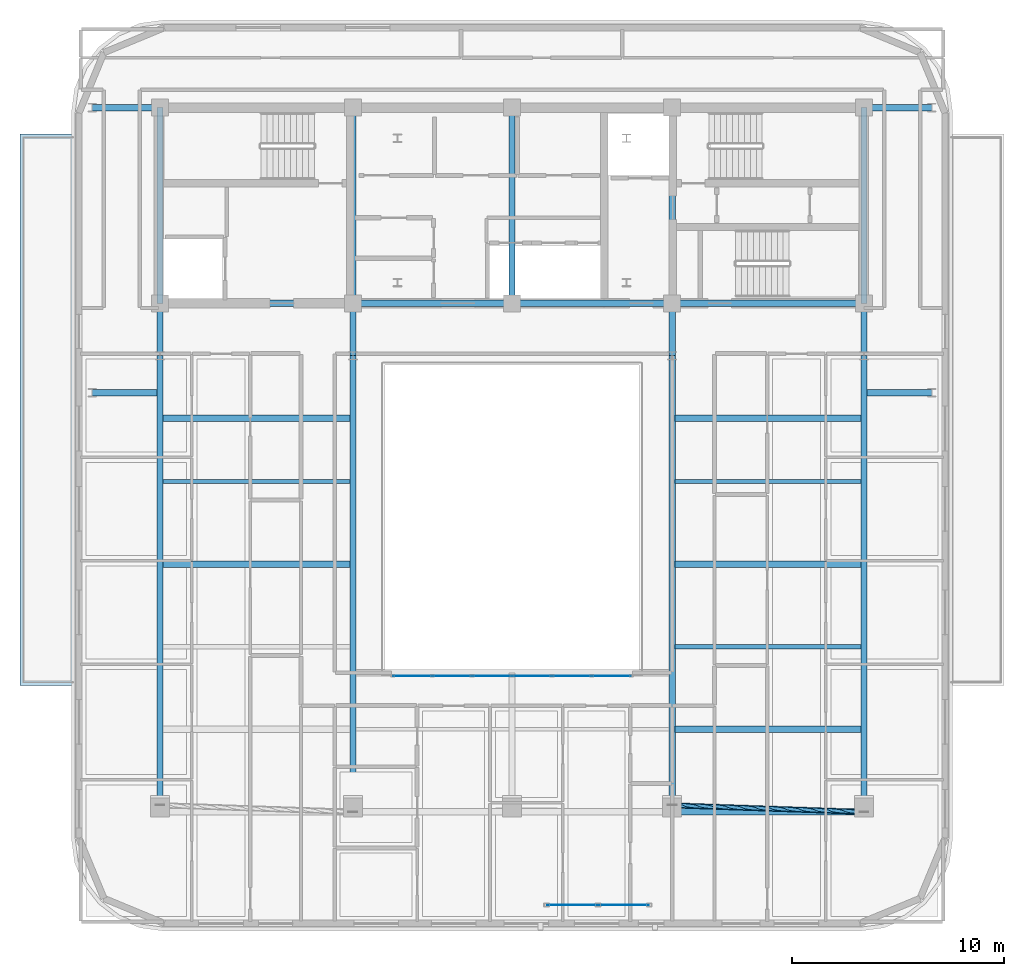
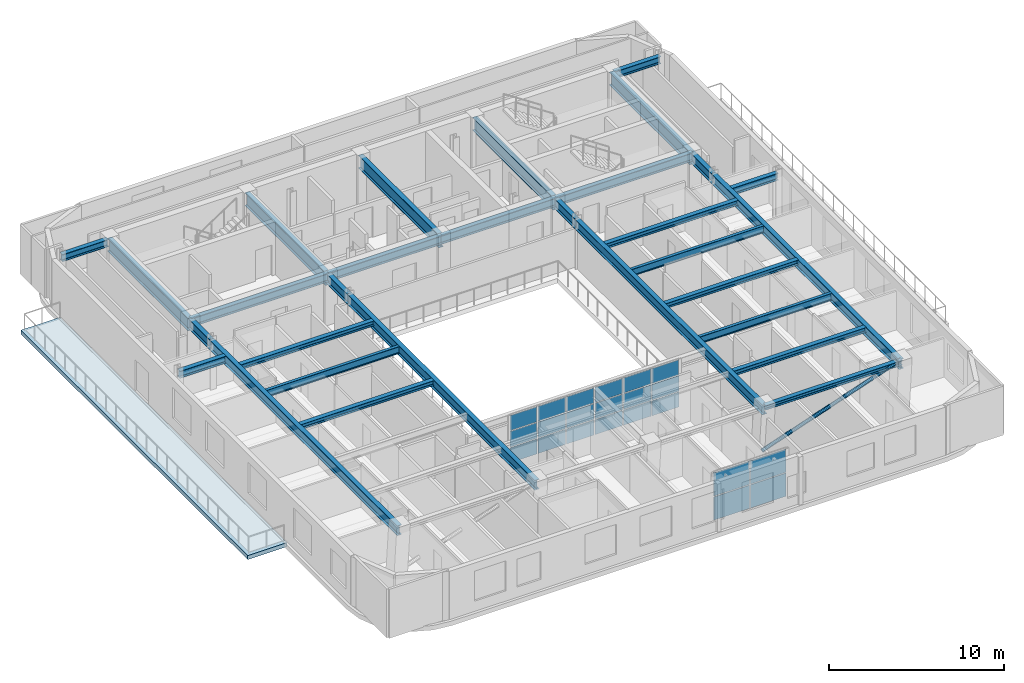
# One storey, part 3 of 14: 30 beams, 22 plates, 1 member, 1 slab, 2 elements without a shape of their own.
"""IFC4 building model written with IfcOpenShell, lengths in metres."""

from ifc_helpers import new_model, si_unit, direction, frame, origin, origin_2d, place, context, subcontext, project, spatial, polyline, rectangle, hollow_circle, i_section, outline, extrude, material, layer, layer_set, material_profile, profile_set, type_object, element, aggregate, save


model = new_model("IFC4")

# Units and contexts
model_context = context("Model", 3, precision=1e-05, world=origin(), true_north=direction((0.0, 1.0)))
body_context = subcontext(model_context, "Body", "Model", "MODEL_VIEW")
ifc_project = project(units=[si_unit("LENGTHUNIT", "METRE"), si_unit("AREAUNIT", "SQUARE_METRE"), si_unit("VOLUMEUNIT", "CUBIC_METRE"), si_unit("PLANEANGLEUNIT", "RADIAN"), si_unit("MASSUNIT", "GRAM", prefix="KILO")], contexts=[model_context])

# Site, building, storey
site_placement = place(None, origin())
site = spatial("IfcSite", under=ifc_project, at=site_placement, CompositionType="ELEMENT")
building_placement = place(site_placement, origin())
building = spatial("IfcBuilding", under=site, at=building_placement, Name="Zarnavel Station Tower", CompositionType="ELEMENT")
storey_placement = place(building_placement, frame((0.0, 0.0, 243.60009765625)))
storey = spatial("IfcBuildingStorey", under=building, at=storey_placement, Name="L66", CompositionType="ELEMENT", Elevation=243.60009765625)

# Member
ifc_material_1 = material(Name="Steel S355J2", Category="steel")
ifc_material_profile_1 = material_profile(ifc_material_1, hollow_circle(Radius=0.122314453125, WallThickness=0.010009765625, at=origin_2d()), Name="CHS244.5x10")
ifc_profile_set_1 = profile_set([ifc_material_profile_1], Name="Steel S355J2")
member_type = type_object("IfcMemberType", Name="DB_EXT_CHS245", PredefinedType="BRACE", material=ifc_profile_set_1)
member_placement = place(storey_placement, frame((36.35009765625, 4.15283203125, 0.0), z_axis=(0.934954974808, -0.032007603945, 0.353319555603), x_axis=(0.034214336452, 0.999414518196, 0.0)))
element("IfcMember", 1, at=member_placement, inside=storey, type_object=member_type, Name="L66 Persian Exterior Diagonal Frame Brace 2", PredefinedType="BRACE", context=body_context, shape_type="SweptSolid", body=[
    extrude(hollow_circle(Radius=0.122314453125, WallThickness=0.010009765625, at=origin_2d()), origin(), (0.0, 0.0, 1.0), 9.679443359375),
])

# Beams
ifc_material_2 = material(Name="Steel S355J2", Category="steel")
ifc_material_profile_2 = material_profile(ifc_material_2, i_section(OverallWidth=0.300048828125, OverallDepth=0.320068359375, WebThickness=0.011474609375, FlangeThickness=0.0205078125, FilletRadius=0.027099609375, at=origin_2d()), Name="HEB320")
ifc_profile_set_2 = profile_set([ifc_material_profile_2], Name="Steel S355J2")
beam_type_1 = type_object("IfcBeamType", Name="EB_HEB320", PredefinedType="SPANDREL", material=ifc_profile_set_2)
beam_1_placement = place(storey_placement, frame((36.35009765625, 3.843017578125, 3.260009765625), z_axis=(1.0, 0.0, 0.0), x_axis=(0.0, 1.0, 0.0)))
element("IfcBeam", 2, at=beam_1_placement, inside=storey, type_object=beam_type_1, Name="L66 South Raked Spandrel 4", PredefinedType="SPANDREL", context=body_context, shape_type="SweptSolid", body=[
    extrude(i_section(OverallWidth=0.300048828125, OverallDepth=0.320068359375, WebThickness=0.011474609375, FlangeThickness=0.0205078125, FilletRadius=0.027099609375, at=origin_2d()), origin(), (0.0, 0.0, 1.0), 9.0498046875),
])
ifc_material_3 = material(Name="Steel S355J2", Category="steel")
ifc_material_profile_3 = material_profile(ifc_material_3, i_section(OverallWidth=0.300048828125, OverallDepth=0.35009765625, WebThickness=0.010009765625, FlangeThickness=0.017578125, FilletRadius=0.027099609375, at=origin_2d()), Name="HEA360")
ifc_profile_set_3 = profile_set([ifc_material_profile_3], Name="Steel S355J2")
beam_type_2 = type_object("IfcBeamType", Name="FB_HEA360", PredefinedType="BEAM", material=ifc_profile_set_3)
beam_2_placement = place(storey_placement, frame((36.4951171875, 7.73583984375, 3.244873046875), z_axis=(1.0, 0.0, 0.0), x_axis=(0.0, 1.0, 0.0)))
element("IfcBeam", 3, at=beam_2_placement, inside=storey, type_object=beam_type_2, Name="L66 East Bay Beam 1", PredefinedType="BEAM", context=body_context, shape_type="SweptSolid", body=[
    extrude(i_section(OverallWidth=0.300048828125, OverallDepth=0.35009765625, WebThickness=0.010009765625, FlangeThickness=0.017578125, FilletRadius=0.027099609375, at=origin_2d()), origin(), (0.0, 0.0, 1.0), 8.759765625),
])
beam_3_placement = place(storey_placement, frame((12.344970703125, 15.521484375, 3.244873046875), z_axis=(1.0, 0.0, 0.0), x_axis=(0.0, 1.0, 0.0)))
element("IfcBeam", 4, at=beam_3_placement, inside=storey, type_object=beam_type_2, Name="L66 West Bay Beam 3", PredefinedType="BEAM", context=body_context, shape_type="SweptSolid", body=[
    extrude(i_section(OverallWidth=0.300048828125, OverallDepth=0.35009765625, WebThickness=0.010009765625, FlangeThickness=0.017578125, FilletRadius=0.027099609375, at=origin_2d()), origin(), (0.0, 0.0, 1.0), 8.81005859375),
])
beam_4_placement = place(storey_placement, frame((36.4951171875, 15.521484375, 3.244873046875), z_axis=(1.0, 0.0, 0.0), x_axis=(0.0, 1.0, 0.0)))
element("IfcBeam", 5, at=beam_4_placement, inside=storey, type_object=beam_type_2, Name="L66 East Bay Beam 3", PredefinedType="BEAM", context=body_context, shape_type="SweptSolid", body=[
    extrude(i_section(OverallWidth=0.300048828125, OverallDepth=0.35009765625, WebThickness=0.010009765625, FlangeThickness=0.017578125, FilletRadius=0.027099609375, at=origin_2d()), origin(), (0.0, 0.0, 1.0), 8.759765625),
])
beam_5_placement = place(storey_placement, frame((12.344970703125, 22.4072265625, 3.244873046875), z_axis=(1.0, 0.0, 0.0), x_axis=(0.0, 1.0, 0.0)))
element("IfcBeam", 6, at=beam_5_placement, inside=storey, type_object=beam_type_2, Name="L66 West Bay Beam 5", PredefinedType="BEAM", context=body_context, shape_type="SweptSolid", body=[
    extrude(i_section(OverallWidth=0.300048828125, OverallDepth=0.35009765625, WebThickness=0.010009765625, FlangeThickness=0.017578125, FilletRadius=0.027099609375, at=origin_2d()), origin(), (0.0, 0.0, 1.0), 8.81005859375),
])
beam_6_placement = place(storey_placement, frame((36.4951171875, 22.4072265625, 3.244873046875), z_axis=(1.0, 0.0, 0.0), x_axis=(0.0, 1.0, 0.0)))
element("IfcBeam", 7, at=beam_6_placement, inside=storey, type_object=beam_type_2, Name="L66 East Bay Beam 5", PredefinedType="BEAM", context=body_context, shape_type="SweptSolid", body=[
    extrude(i_section(OverallWidth=0.300048828125, OverallDepth=0.35009765625, WebThickness=0.010009765625, FlangeThickness=0.017578125, FilletRadius=0.027099609375, at=origin_2d()), origin(), (0.0, 0.0, 1.0), 8.759765625),
])
ifc_material_4 = material(Name="Steel S355J2", Category="steel")
ifc_material_profile_4 = material_profile(ifc_material_4, i_section(OverallWidth=0.199951171875, OverallDepth=0.5, WebThickness=0.01025390625, FlangeThickness=0.01611328125, FilletRadius=0.02099609375, at=origin_2d()), Name="IPE500")
ifc_profile_set_4 = profile_set([ifc_material_profile_4], Name="Steel S355J2")
beam_type_3 = type_object("IfcBeamType", Name="FB_IPE500", PredefinedType="BEAM", material=ifc_profile_set_4)
beam_7_placement = place(storey_placement, frame((36.4951171875, 11.628662109375, 3.169921875), z_axis=(1.0, 0.0, 0.0), x_axis=(0.0, 1.0, 0.0)))
element("IfcBeam", 8, at=beam_7_placement, inside=storey, type_object=beam_type_3, Name="L66 East Bay Beam 2", PredefinedType="BEAM", context=body_context, shape_type="SweptSolid", body=[
    extrude(i_section(OverallWidth=0.199951171875, OverallDepth=0.5, WebThickness=0.01025390625, FlangeThickness=0.01611328125, FilletRadius=0.02099609375, at=origin_2d()), origin(), (0.0, 0.0, 1.0), 8.759765625),
])
beam_8_placement = place(storey_placement, frame((12.344970703125, 19.414306640625, 3.169921875), z_axis=(1.0, 0.0, 0.0), x_axis=(0.0, 1.0, 0.0)))
element("IfcBeam", 9, at=beam_8_placement, inside=storey, type_object=beam_type_3, Name="L66 West Bay Beam 4", PredefinedType="BEAM", context=body_context, shape_type="SweptSolid", body=[
    extrude(i_section(OverallWidth=0.199951171875, OverallDepth=0.5, WebThickness=0.01025390625, FlangeThickness=0.01611328125, FilletRadius=0.02099609375, at=origin_2d()), origin(), (0.0, 0.0, 1.0), 8.81005859375),
])
beam_9_placement = place(storey_placement, frame((36.4951171875, 19.414306640625, 3.169921875), z_axis=(1.0, 0.0, 0.0), x_axis=(0.0, 1.0, 0.0)))
element("IfcBeam", 10, at=beam_9_placement, inside=storey, type_object=beam_type_3, Name="L66 East Bay Beam 4", PredefinedType="BEAM", context=body_context, shape_type="SweptSolid", body=[
    extrude(i_section(OverallWidth=0.199951171875, OverallDepth=0.5, WebThickness=0.01025390625, FlangeThickness=0.01611328125, FilletRadius=0.02099609375, at=origin_2d()), origin(), (0.0, 0.0, 1.0), 8.759765625),
])
ifc_material_5 = material(Name="Steel S355J2", Category="steel")
ifc_material_profile_5 = material_profile(ifc_material_5, i_section(OverallWidth=0.300048828125, OverallDepth=0.5, WebThickness=0.014404296875, FlangeThickness=0.028076171875, FilletRadius=0.027099609375, at=origin_2d()), Name="HEB500")
ifc_profile_set_5 = profile_set([ifc_material_profile_5], Name="Steel S355J2")
beam_type_4 = type_object("IfcBeamType", Name="FG_HEB500", PredefinedType="USERDEFINED", material=ifc_profile_set_5)
for number, where, z_axis, x_axis, name in (
    (11, (9.0, 23.60009765625, 3.169921875), (1.0, 0.0, 0.0), (0.0, 1.0, 0.0), "L66 West Wing South Tie 1"),
    (12, (9.0, 37.050048828125, 3.169921875), (1.0, 0.0, 0.0), (0.0, 1.0, 0.0), "L66 West Wing North Tie 1"),
):
    element("IfcBeam", number, at=place(storey_placement, frame(where, z_axis=z_axis, x_axis=x_axis)), inside=storey, type_object=beam_type_4, Name=name, ObjectType="GIRDER", PredefinedType="USERDEFINED", context=body_context, shape_type="SweptSolid", body=[
        extrude(i_section(OverallWidth=0.300048828125, OverallDepth=0.5, WebThickness=0.014404296875, FlangeThickness=0.028076171875, FilletRadius=0.027099609375, at=origin_2d()), origin(), (0.0, 0.0, 1.0), 3.054931640625),
    ])
for number, where, z_axis, x_axis, name in (
    (13, (45.544921875, 23.60009765625, 3.169921875), (1.0, 0.0, 0.0), (0.0, 1.0, 0.0), "L66 East Wing South Tie 1"),
    (14, (45.544921875, 37.050048828125, 3.169921875), (1.0, 0.0, 0.0), (0.0, 1.0, 0.0), "L66 East Wing North Tie 1"),
):
    element("IfcBeam", number, at=place(storey_placement, frame(where, z_axis=z_axis, x_axis=x_axis)), inside=storey, type_object=beam_type_4, Name=name, ObjectType="GIRDER", PredefinedType="USERDEFINED", context=body_context, shape_type="SweptSolid", body=[
        extrude(i_section(OverallWidth=0.300048828125, OverallDepth=0.5, WebThickness=0.014404296875, FlangeThickness=0.028076171875, FilletRadius=0.027099609375, at=origin_2d()), origin(), (0.0, 0.0, 1.0), 3.05517578125),
    ])
ifc_material_6 = material(Name="Steel S355J2", Category="steel")
ifc_material_profile_6 = material_profile(ifc_material_6, i_section(OverallWidth=0.300048828125, OverallDepth=0.60009765625, WebThickness=0.015380859375, FlangeThickness=0.030029296875, FilletRadius=0.027099609375, at=origin_2d()), Name="HEB600")
ifc_profile_set_6 = profile_set([ifc_material_profile_6], Name="Steel S355J2")
beam_type_5 = type_object("IfcBeamType", Name="FG_HEB600", PredefinedType="USERDEFINED", material=ifc_profile_set_6)
beam_10_placement = place(storey_placement, frame((12.199951171875, 27.820068359375, 3.119873046875), z_axis=(1.0, 0.0, 0.0), x_axis=(0.0, 1.0, 0.0)))
element("IfcBeam", 15, at=beam_10_placement, inside=storey, type_object=beam_type_5, Name="L66 Core Front Coupling Beam 1", ObjectType="GIRDER", PredefinedType="USERDEFINED", context=body_context, shape_type="SweptSolid", body=[
    extrude(i_section(OverallWidth=0.300048828125, OverallDepth=0.60009765625, WebThickness=0.015380859375, FlangeThickness=0.030029296875, FilletRadius=0.027099609375, at=origin_2d()), origin(), (0.0, 0.0, 1.0), 9.10009765625),
])
beam_11_placement = place(storey_placement, frame((21.300048828125, 27.820068359375, 3.119873046875), z_axis=(1.0, 0.0, 0.0), x_axis=(0.0, 1.0, 0.0)))
element("IfcBeam", 16, at=beam_11_placement, inside=storey, type_object=beam_type_5, Name="L66 Core Front Coupling Beam 2", ObjectType="GIRDER", PredefinedType="USERDEFINED", context=body_context, shape_type="SweptSolid", body=[
    extrude(i_section(OverallWidth=0.300048828125, OverallDepth=0.60009765625, WebThickness=0.015380859375, FlangeThickness=0.030029296875, FilletRadius=0.027099609375, at=origin_2d()), origin(), (0.0, 0.0, 1.0), 7.5),
])
beam_12_placement = place(storey_placement, frame((28.800048828125, 27.820068359375, 3.119873046875), z_axis=(1.0, 0.0, 0.0), x_axis=(0.0, 1.0, 0.0)))
element("IfcBeam", 17, at=beam_12_placement, inside=storey, type_object=beam_type_5, Name="L66 Core Front Coupling Beam 3", ObjectType="GIRDER", PredefinedType="USERDEFINED", context=body_context, shape_type="SweptSolid", body=[
    extrude(i_section(OverallWidth=0.300048828125, OverallDepth=0.60009765625, WebThickness=0.015380859375, FlangeThickness=0.030029296875, FilletRadius=0.027099609375, at=origin_2d()), origin(), (0.0, 0.0, 1.0), 7.550048828125),
])
beam_13_placement = place(storey_placement, frame((36.35009765625, 27.820068359375, 3.119873046875), z_axis=(1.0, 0.0, 0.0), x_axis=(0.0, 1.0, 0.0)))
element("IfcBeam", 18, at=beam_13_placement, inside=storey, type_object=beam_type_5, Name="L66 Core Front Coupling Beam 4", ObjectType="GIRDER", PredefinedType="USERDEFINED", context=body_context, shape_type="SweptSolid", body=[
    extrude(i_section(OverallWidth=0.300048828125, OverallDepth=0.60009765625, WebThickness=0.015380859375, FlangeThickness=0.030029296875, FilletRadius=0.027099609375, at=origin_2d()), origin(), (0.0, 0.0, 1.0), 9.0498046875),
])
ifc_material_7 = material(Name="Steel S355J2", Category="steel")
ifc_material_profile_7 = material_profile(ifc_material_7, i_section(OverallWidth=0.300048828125, OverallDepth=0.699951171875, WebThickness=0.01708984375, FlangeThickness=0.031982421875, FilletRadius=0.027099609375, at=origin_2d()), Name="HEB700")
ifc_profile_set_7 = profile_set([ifc_material_profile_7], Name="Steel S355J2")
beam_type_6 = type_object("IfcBeamType", Name="FG_HEB700", PredefinedType="USERDEFINED", material=ifc_profile_set_7)
beam_14_placement = place(storey_placement, frame((12.199951171875, 3.843017578125, 3.06982421875), z_axis=(0.0, 1.0, 0.0), x_axis=(-1.0, 0.0, 0.0)))
element("IfcBeam", 19, at=beam_14_placement, inside=storey, type_object=beam_type_6, Name="L66 South-Zone NS Girder 1", ObjectType="GIRDER", PredefinedType="USERDEFINED", context=body_context, shape_type="SweptSolid", body=[
    extrude(i_section(OverallWidth=0.300048828125, OverallDepth=0.699951171875, WebThickness=0.01708984375, FlangeThickness=0.031982421875, FilletRadius=0.027099609375, at=origin_2d()), origin(), (0.0, 0.0, 1.0), 21.507080078125),
])
beam_15_placement = place(storey_placement, frame((12.199951171875, 25.35009765625, 3.06982421875), z_axis=(0.0, 1.0, 0.0), x_axis=(-1.0, 0.0, 0.0)))
element("IfcBeam", 20, at=beam_15_placement, inside=storey, type_object=beam_type_6, Name="L66 Inner-Zone NS Girder 1", ObjectType="GIRDER", PredefinedType="USERDEFINED", context=body_context, shape_type="SweptSolid", body=[
    extrude(i_section(OverallWidth=0.300048828125, OverallDepth=0.699951171875, WebThickness=0.01708984375, FlangeThickness=0.031982421875, FilletRadius=0.027099609375, at=origin_2d()), origin(), (0.0, 0.0, 1.0), 2.469970703125),
])
beam_16_placement = place(storey_placement, frame((21.300048828125, 3.843017578125, 3.06982421875), z_axis=(0.0, 1.0, 0.0), x_axis=(-1.0, 0.0, 0.0)))
element("IfcBeam", 21, at=beam_16_placement, inside=storey, type_object=beam_type_6, Name="L66 South-Zone NS Girder 2", ObjectType="GIRDER", PredefinedType="USERDEFINED", context=body_context, shape_type="SweptSolid", body=[
    extrude(i_section(OverallWidth=0.300048828125, OverallDepth=0.699951171875, WebThickness=0.01708984375, FlangeThickness=0.031982421875, FilletRadius=0.027099609375, at=origin_2d()), origin(), (0.0, 0.0, 1.0), 21.507080078125),
])
beam_17_placement = place(storey_placement, frame((21.300048828125, 25.35009765625, 3.06982421875), z_axis=(0.0, 1.0, 0.0), x_axis=(-1.0, 0.0, 0.0)))
element("IfcBeam", 22, at=beam_17_placement, inside=storey, type_object=beam_type_6, Name="L66 Inner-Zone NS Girder 2", ObjectType="GIRDER", PredefinedType="USERDEFINED", context=body_context, shape_type="SweptSolid", body=[
    extrude(i_section(OverallWidth=0.300048828125, OverallDepth=0.699951171875, WebThickness=0.01708984375, FlangeThickness=0.031982421875, FilletRadius=0.027099609375, at=origin_2d()), origin(), (0.0, 0.0, 1.0), 2.469970703125),
])
beam_18_placement = place(storey_placement, frame((36.35009765625, 3.843017578125, 3.06982421875), z_axis=(0.0, 1.0, 0.0), x_axis=(-1.0, 0.0, 0.0)))
element("IfcBeam", 23, at=beam_18_placement, inside=storey, type_object=beam_type_6, Name="L66 South-Zone NS Girder 4", ObjectType="GIRDER", PredefinedType="USERDEFINED", context=body_context, shape_type="SweptSolid", body=[
    extrude(i_section(OverallWidth=0.300048828125, OverallDepth=0.699951171875, WebThickness=0.01708984375, FlangeThickness=0.031982421875, FilletRadius=0.027099609375, at=origin_2d()), origin(), (0.0, 0.0, 1.0), 21.507080078125),
])
beam_19_placement = place(storey_placement, frame((36.35009765625, 25.35009765625, 3.06982421875), z_axis=(0.0, 1.0, 0.0), x_axis=(-1.0, 0.0, 0.0)))
element("IfcBeam", 24, at=beam_19_placement, inside=storey, type_object=beam_type_6, Name="L66 Inner-Zone NS Girder 4", ObjectType="GIRDER", PredefinedType="USERDEFINED", context=body_context, shape_type="SweptSolid", body=[
    extrude(i_section(OverallWidth=0.300048828125, OverallDepth=0.699951171875, WebThickness=0.01708984375, FlangeThickness=0.031982421875, FilletRadius=0.027099609375, at=origin_2d()), origin(), (0.0, 0.0, 1.0), 2.469970703125),
])
beam_20_placement = place(storey_placement, frame((45.39990234375, 3.843017578125, 3.06982421875), z_axis=(0.0, 1.0, 0.0), x_axis=(-1.0, 0.0, 0.0)))
element("IfcBeam", 25, at=beam_20_placement, inside=storey, type_object=beam_type_6, Name="L66 South-Zone NS Girder 5", ObjectType="GIRDER", PredefinedType="USERDEFINED", context=body_context, shape_type="SweptSolid", body=[
    extrude(i_section(OverallWidth=0.300048828125, OverallDepth=0.699951171875, WebThickness=0.01708984375, FlangeThickness=0.031982421875, FilletRadius=0.027099609375, at=origin_2d()), origin(), (0.0, 0.0, 1.0), 21.507080078125),
])
beam_21_placement = place(storey_placement, frame((45.39990234375, 25.35009765625, 3.06982421875), z_axis=(0.0, 1.0, 0.0), x_axis=(-1.0, 0.0, 0.0)))
element("IfcBeam", 26, at=beam_21_placement, inside=storey, type_object=beam_type_6, Name="L66 Inner-Zone NS Girder 5", ObjectType="GIRDER", PredefinedType="USERDEFINED", context=body_context, shape_type="SweptSolid", body=[
    extrude(i_section(OverallWidth=0.300048828125, OverallDepth=0.699951171875, WebThickness=0.01708984375, FlangeThickness=0.031982421875, FilletRadius=0.027099609375, at=origin_2d()), origin(), (0.0, 0.0, 1.0), 2.469970703125),
])
ifc_material_8 = material(Name="Steel S460M", Category="steel")
ifc_material_profile_8 = material_profile(ifc_material_8, i_section(OverallWidth=0.302001953125, OverallDepth=0.909912109375, WebThickness=0.02099609375, FlangeThickness=0.0400390625, FilletRadius=0.030029296875, at=origin_2d()), Name="HEM900")
ifc_profile_set_8 = profile_set([ifc_material_profile_8], Name="Steel S460M")
beam_type_7 = type_object("IfcBeamType", Name="TG_HEM900", PredefinedType="USERDEFINED", material=ifc_profile_set_8)
for number, where, z_axis, x_axis, name in (
    (27, (12.199951171875, 27.820068359375, 2.96484375), (0.0, 1.0, 0.0), (-1.0, 0.0, 0.0), "L66 Core Spine Coupling Girder 1"),
    (28, (21.300048828125, 27.820068359375, 2.96484375), (0.0, 1.0, 0.0), (-1.0, 0.0, 0.0), "L66 Core Spine Coupling Girder 2"),
    (29, (28.800048828125, 27.820068359375, 2.96484375), (0.0, 1.0, 0.0), (-1.0, 0.0, 0.0), "L66 Core Spine Coupling Girder 3"),
    (30, (36.35009765625, 27.820068359375, 2.96484375), (0.0, 1.0, 0.0), (-1.0, 0.0, 0.0), "L66 Core Spine Coupling Girder 4"),
    (31, (45.39990234375, 27.820068359375, 2.96484375), (0.0, 1.0, 0.0), (-1.0, 0.0, 0.0), "L66 Core Spine Coupling Girder 5"),
):
    element("IfcBeam", number, at=place(storey_placement, frame(where, z_axis=z_axis, x_axis=x_axis)), inside=storey, type_object=beam_type_7, Name=name, ObjectType="GIRDER", PredefinedType="USERDEFINED", context=body_context, shape_type="SweptSolid", body=[
        extrude(i_section(OverallWidth=0.302001953125, OverallDepth=0.909912109375, WebThickness=0.02099609375, FlangeThickness=0.0400390625, FilletRadius=0.030029296875, at=origin_2d()), origin(), (0.0, 0.0, 1.0), 9.22998046875),
    ])

# Curtain wall, plates
ifc_material_9 = material(Name="Aluminium Dark Anodised and Solar-Control Glass", Category="aluminium")
ifc_layer_1 = layer(ifc_material_9, 0.179931640625)
ifc_layer_set_1 = layer_set([ifc_layer_1], Name="CWS5")
curtain_wall_type_1 = type_object("IfcCurtainWallType", Name="CWS5", PredefinedType="NOTDEFINED", material=ifc_layer_set_1)
curtain_wall_1_placement = place(storey_placement, origin())
curtain_wall_1 = element("IfcCurtainWall", 32, at=curtain_wall_1_placement, inside=storey, type_object=curtain_wall_type_1, Name="L66 Curtain Wall CWS5-L66-AS", PredefinedType="NOTDEFINED")
ifc_material_10 = material(Name="Double Low-E Dark Solar-Control Glass", Category="glass")
ifc_layer_2 = layer(ifc_material_10, 0.033935546875)
ifc_layer_set_2 = layer_set([ifc_layer_2], Name="CWS5_PNL")
plate_type_1 = type_object("IfcPlateType", Name="CWS5_PNL", PredefinedType="CURTAIN_PANEL", material=ifc_layer_set_2)
plate_1_placement = place(storey_placement, frame((24.106689453125, 10.25, 0.06005859375), z_axis=(0.0, 0.0, 1.0), x_axis=(1.0, 0.0, 0.0)))
plate_1 = element("IfcPlate", 33, at=plate_1_placement, type_object=plate_type_1, Name="CW5 panel 1.1", PredefinedType="CURTAIN_PANEL", context=body_context, shape_type="SweptSolid", body=[
    extrude(rectangle(XDim=1.793212890625, YDim=0.028076171875, at=origin_2d()), origin(), (0.0, 0.0, 1.0), 1.050048828125),
])
plate_2_placement = place(storey_placement, frame((24.106689453125, 10.25, 1.169921875), z_axis=(0.0, 0.0, 1.0), x_axis=(1.0, 0.0, 0.0)))
plate_2 = element("IfcPlate", 34, at=plate_2_placement, type_object=plate_type_1, Name="CW5 panel 1.2", PredefinedType="CURTAIN_PANEL", context=body_context, shape_type="SweptSolid", body=[
    extrude(rectangle(XDim=1.793212890625, YDim=0.028076171875, at=origin_2d()), origin(), (0.0, 0.0, 1.0), 1.080078125),
])
plate_3_placement = place(storey_placement, frame((24.106689453125, 10.25, 2.31005859375), z_axis=(0.0, 0.0, 1.0), x_axis=(1.0, 0.0, 0.0)))
plate_3 = element("IfcPlate", 35, at=plate_3_placement, type_object=plate_type_1, Name="CW5 panel 1.3", PredefinedType="CURTAIN_PANEL", context=body_context, shape_type="SweptSolid", body=[
    extrude(rectangle(XDim=1.793212890625, YDim=0.028076171875, at=origin_2d()), origin(), (0.0, 0.0, 1.0), 1.050048828125),
])
plate_4_placement = place(storey_placement, frame((25.97509765625, 10.25, 0.06005859375), z_axis=(0.0, 0.0, 1.0), x_axis=(1.0, 0.0, 0.0)))
plate_4 = element("IfcPlate", 36, at=plate_4_placement, type_object=plate_type_1, Name="CW5 panel 2.1", PredefinedType="CURTAIN_PANEL", context=body_context, shape_type="SweptSolid", body=[
    extrude(rectangle(XDim=1.8232421875, YDim=0.028076171875, at=origin_2d()), origin(), (0.0, 0.0, 1.0), 1.050048828125),
])
plate_5_placement = place(storey_placement, frame((25.97509765625, 10.25, 1.169921875), z_axis=(0.0, 0.0, 1.0), x_axis=(1.0, 0.0, 0.0)))
plate_5 = element("IfcPlate", 37, at=plate_5_placement, type_object=plate_type_1, Name="CW5 panel 2.2", PredefinedType="CURTAIN_PANEL", context=body_context, shape_type="SweptSolid", body=[
    extrude(rectangle(XDim=1.8232421875, YDim=0.028076171875, at=origin_2d()), origin(), (0.0, 0.0, 1.0), 1.080078125),
])
plate_6_placement = place(storey_placement, frame((25.97509765625, 10.25, 2.31005859375), z_axis=(0.0, 0.0, 1.0), x_axis=(1.0, 0.0, 0.0)))
plate_6 = element("IfcPlate", 38, at=plate_6_placement, type_object=plate_type_1, Name="CW5 panel 2.3", PredefinedType="CURTAIN_PANEL", context=body_context, shape_type="SweptSolid", body=[
    extrude(rectangle(XDim=1.8232421875, YDim=0.028076171875, at=origin_2d()), origin(), (0.0, 0.0, 1.0), 1.050048828125),
])
plate_7_placement = place(storey_placement, frame((27.8583984375, 10.25, 0.06005859375), z_axis=(0.0, 0.0, 1.0), x_axis=(1.0, 0.0, 0.0)))
plate_7 = element("IfcPlate", 39, at=plate_7_placement, type_object=plate_type_1, Name="CW5 panel 3.1", PredefinedType="CURTAIN_PANEL", context=body_context, shape_type="SweptSolid", body=[
    extrude(rectangle(XDim=1.8232421875, YDim=0.028076171875, at=origin_2d()), origin(), (0.0, 0.0, 1.0), 1.050048828125),
])
plate_8_placement = place(storey_placement, frame((27.8583984375, 10.25, 1.169921875), z_axis=(0.0, 0.0, 1.0), x_axis=(1.0, 0.0, 0.0)))
plate_8 = element("IfcPlate", 40, at=plate_8_placement, type_object=plate_type_1, Name="CW5 panel 3.2", PredefinedType="CURTAIN_PANEL", context=body_context, shape_type="SweptSolid", body=[
    extrude(rectangle(XDim=1.8232421875, YDim=0.028076171875, at=origin_2d()), origin(), (0.0, 0.0, 1.0), 1.080078125),
])
plate_9_placement = place(storey_placement, frame((27.8583984375, 10.25, 2.31005859375), z_axis=(0.0, 0.0, 1.0), x_axis=(1.0, 0.0, 0.0)))
plate_9 = element("IfcPlate", 41, at=plate_9_placement, type_object=plate_type_1, Name="CW5 panel 3.3", PredefinedType="CURTAIN_PANEL", context=body_context, shape_type="SweptSolid", body=[
    extrude(rectangle(XDim=1.8232421875, YDim=0.028076171875, at=origin_2d()), origin(), (0.0, 0.0, 1.0), 1.050048828125),
])
plate_10_placement = place(storey_placement, frame((29.74169921875, 10.25, 0.06005859375), z_axis=(0.0, 0.0, 1.0), x_axis=(1.0, 0.0, 0.0)))
plate_10 = element("IfcPlate", 42, at=plate_10_placement, type_object=plate_type_1, Name="CW5 panel 4.1", PredefinedType="CURTAIN_PANEL", context=body_context, shape_type="SweptSolid", body=[
    extrude(rectangle(XDim=1.8232421875, YDim=0.028076171875, at=origin_2d()), origin(), (0.0, 0.0, 1.0), 1.050048828125),
])
plate_11_placement = place(storey_placement, frame((29.74169921875, 10.25, 1.169921875), z_axis=(0.0, 0.0, 1.0), x_axis=(1.0, 0.0, 0.0)))
plate_11 = element("IfcPlate", 43, at=plate_11_placement, type_object=plate_type_1, Name="CW5 panel 4.2", PredefinedType="CURTAIN_PANEL", context=body_context, shape_type="SweptSolid", body=[
    extrude(rectangle(XDim=1.8232421875, YDim=0.028076171875, at=origin_2d()), origin(), (0.0, 0.0, 1.0), 1.080078125),
])
plate_12_placement = place(storey_placement, frame((29.74169921875, 10.25, 2.31005859375), z_axis=(0.0, 0.0, 1.0), x_axis=(1.0, 0.0, 0.0)))
plate_12 = element("IfcPlate", 44, at=plate_12_placement, type_object=plate_type_1, Name="CW5 panel 4.3", PredefinedType="CURTAIN_PANEL", context=body_context, shape_type="SweptSolid", body=[
    extrude(rectangle(XDim=1.8232421875, YDim=0.028076171875, at=origin_2d()), origin(), (0.0, 0.0, 1.0), 1.050048828125),
])
plate_13_placement = place(storey_placement, frame((31.625, 10.25, 0.06005859375), z_axis=(0.0, 0.0, 1.0), x_axis=(1.0, 0.0, 0.0)))
plate_13 = element("IfcPlate", 45, at=plate_13_placement, type_object=plate_type_1, Name="CW5 panel 5.1", PredefinedType="CURTAIN_PANEL", context=body_context, shape_type="SweptSolid", body=[
    extrude(rectangle(XDim=1.8232421875, YDim=0.028076171875, at=origin_2d()), origin(), (0.0, 0.0, 1.0), 1.050048828125),
])
plate_14_placement = place(storey_placement, frame((31.625, 10.25, 1.169921875), z_axis=(0.0, 0.0, 1.0), x_axis=(1.0, 0.0, 0.0)))
plate_14 = element("IfcPlate", 46, at=plate_14_placement, type_object=plate_type_1, Name="CW5 panel 5.2", PredefinedType="CURTAIN_PANEL", context=body_context, shape_type="SweptSolid", body=[
    extrude(rectangle(XDim=1.8232421875, YDim=0.028076171875, at=origin_2d()), origin(), (0.0, 0.0, 1.0), 1.080078125),
])
plate_15_placement = place(storey_placement, frame((31.625, 10.25, 2.31005859375), z_axis=(0.0, 0.0, 1.0), x_axis=(1.0, 0.0, 0.0)))
plate_15 = element("IfcPlate", 47, at=plate_15_placement, type_object=plate_type_1, Name="CW5 panel 5.3", PredefinedType="CURTAIN_PANEL", context=body_context, shape_type="SweptSolid", body=[
    extrude(rectangle(XDim=1.8232421875, YDim=0.028076171875, at=origin_2d()), origin(), (0.0, 0.0, 1.0), 1.050048828125),
])
plate_16_placement = place(storey_placement, frame((33.493408203125, 10.25, 0.06005859375), z_axis=(0.0, 0.0, 1.0), x_axis=(1.0, 0.0, 0.0)))
plate_16 = element("IfcPlate", 48, at=plate_16_placement, type_object=plate_type_1, Name="CW5 panel 6.1", PredefinedType="CURTAIN_PANEL", context=body_context, shape_type="SweptSolid", body=[
    extrude(rectangle(XDim=1.793212890625, YDim=0.028076171875, at=origin_2d()), origin(), (0.0, 0.0, 1.0), 1.050048828125),
])
plate_17_placement = place(storey_placement, frame((33.493408203125, 10.25, 1.169921875), z_axis=(0.0, 0.0, 1.0), x_axis=(1.0, 0.0, 0.0)))
plate_17 = element("IfcPlate", 49, at=plate_17_placement, type_object=plate_type_1, Name="CW5 panel 6.2", PredefinedType="CURTAIN_PANEL", context=body_context, shape_type="SweptSolid", body=[
    extrude(rectangle(XDim=1.793212890625, YDim=0.028076171875, at=origin_2d()), origin(), (0.0, 0.0, 1.0), 1.080078125),
])
plate_18_placement = place(storey_placement, frame((33.493408203125, 10.25, 2.31005859375), z_axis=(0.0, 0.0, 1.0), x_axis=(1.0, 0.0, 0.0)))
plate_18 = element("IfcPlate", 50, at=plate_18_placement, type_object=plate_type_1, Name="CW5 panel 6.3", PredefinedType="CURTAIN_PANEL", context=body_context, shape_type="SweptSolid", body=[
    extrude(rectangle(XDim=1.793212890625, YDim=0.028076171875, at=origin_2d()), origin(), (0.0, 0.0, 1.0), 1.050048828125),
])
aggregate(curtain_wall_1, [plate_1, plate_2, plate_3, plate_4, plate_5, plate_6, plate_7, plate_8, plate_9, plate_10, plate_11, plate_12, plate_13, plate_14, plate_15, plate_16, plate_17, plate_18])

ifc_material_11 = material(Name="Aluminium Dark Anodised and Solar-Control Glass", Category="aluminium")
ifc_layer_3 = layer(ifc_material_11, 0.179931640625)
ifc_layer_set_3 = layer_set([ifc_layer_3], Name="CWS6")
curtain_wall_type_2 = type_object("IfcCurtainWallType", Name="CWS6", PredefinedType="NOTDEFINED", material=ifc_layer_set_3)
curtain_wall_2_placement = place(storey_placement, origin())
curtain_wall_2 = element("IfcCurtainWall", 51, at=curtain_wall_2_placement, inside=storey, type_object=curtain_wall_type_2, Name="L66 Curtain Wall CWS6-LOG-L66", PredefinedType="NOTDEFINED")
ifc_material_12 = material(Name="Double Low-E Dark Solar-Control Glass", Category="glass")
ifc_layer_4 = layer(ifc_material_12, 0.0380859375)
ifc_layer_set_4 = layer_set([ifc_layer_4], Name="CWS6_PNL")
plate_type_2 = type_object("IfcPlateType", Name="CWS6_PNL", PredefinedType="CURTAIN_PANEL", material=ifc_layer_set_4)
plate_19_placement = place(storey_placement, frame((31.639892578125, -0.550048828125, 0.059814453125), z_axis=(0.0, 0.0, 1.0), x_axis=(1.0, 0.0, 0.0)))
plate_19 = element("IfcPlate", 52, at=plate_19_placement, type_object=plate_type_2, Name="CW6 panel 1.1", PredefinedType="CURTAIN_PANEL", context=body_context, shape_type="SweptSolid", body=[
    extrude(rectangle(XDim=2.360107421875, YDim=0.028076171875, at=origin_2d()), origin(), (0.0, 0.0, 1.0), 1.6201171875),
])
plate_20_placement = place(storey_placement, frame((31.639892578125, -0.550048828125, 1.73974609375), z_axis=(0.0, 0.0, 1.0), x_axis=(1.0, 0.0, 0.0)))
plate_20 = element("IfcPlate", 53, at=plate_20_placement, type_object=plate_type_2, Name="CW6 panel 1.2", PredefinedType="CURTAIN_PANEL", context=body_context, shape_type="SweptSolid", body=[
    extrude(rectangle(XDim=2.360107421875, YDim=0.028076171875, at=origin_2d()), origin(), (0.0, 0.0, 1.0), 1.6201171875),
])
plate_21_placement = place(storey_placement, frame((34.06005859375, -0.550048828125, 0.059814453125), z_axis=(0.0, 0.0, 1.0), x_axis=(1.0, 0.0, 0.0)))
plate_21 = element("IfcPlate", 54, at=plate_21_placement, type_object=plate_type_2, Name="CW6 panel 2.1", PredefinedType="CURTAIN_PANEL", context=body_context, shape_type="SweptSolid", body=[
    extrude(rectangle(XDim=2.360107421875, YDim=0.028076171875, at=origin_2d()), origin(), (0.0, 0.0, 1.0), 1.6201171875),
])
plate_22_placement = place(storey_placement, frame((34.06005859375, -0.550048828125, 1.73974609375), z_axis=(0.0, 0.0, 1.0), x_axis=(1.0, 0.0, 0.0)))
plate_22 = element("IfcPlate", 55, at=plate_22_placement, type_object=plate_type_2, Name="CW6 panel 2.2", PredefinedType="CURTAIN_PANEL", context=body_context, shape_type="SweptSolid", body=[
    extrude(rectangle(XDim=2.360107421875, YDim=0.028076171875, at=origin_2d()), origin(), (0.0, 0.0, 1.0), 1.6201171875),
])
aggregate(curtain_wall_2, [plate_19, plate_20, plate_21, plate_22])

# Slab
ifc_material_13 = material(Name="Concrete C45/55", Category="concrete")
ifc_layer_5 = layer(ifc_material_13, 0.280029296875)
ifc_layer_set_5 = layer_set([ifc_layer_5], Name="SL_TER_280")
slab_type = type_object("IfcSlabType", Name="SL_TER_280", PredefinedType="FLOOR", material=ifc_layer_set_5)
slab_placement = place(storey_placement, frame((0.0, 0.0, -0.280029296875)))
element("IfcSlab", 56, at=slab_placement, inside=storey, type_object=slab_type, Name="L66 Outdoor Setback Terrace Slab TER-L66-W", PredefinedType="FLOOR", context=body_context, shape_type="SweptSolid", body=[
    extrude(outline(polyline([(5.60009765625, 9.800048828125), (8.199951171875, 9.800048828125), (8.199951171875, 35.800048828125), (5.60009765625, 35.800048828125), (5.60009765625, 9.800048828125)])), origin(), (0.0, 0.0, 1.0), 0.280029296875),
])

save(model, "model.ifc")
